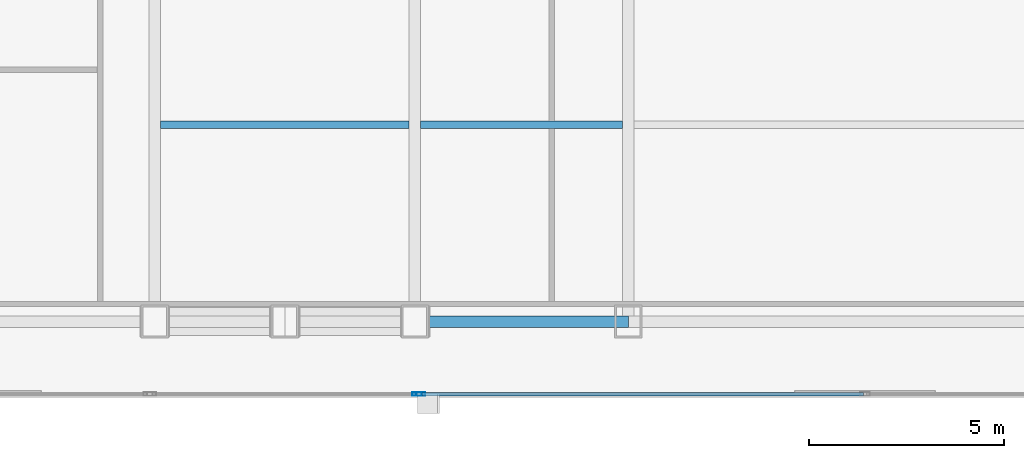
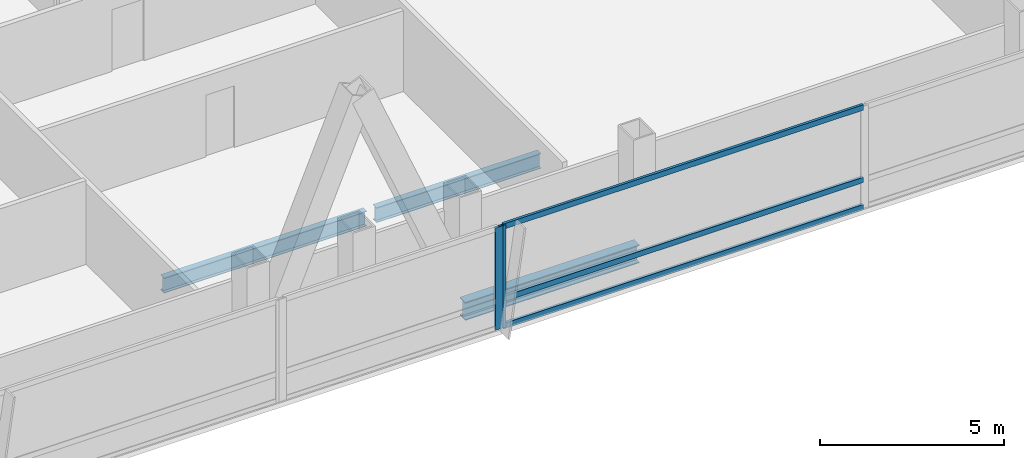
# One storey, part 8 of 29: 5 members, 3 beams, 2 elements without a shape of their own.
"""IFC4 building model written with IfcOpenShell, lengths in metres."""

import ifcopenshell
import ifcopenshell.guid

model = None  # the IFC model being written
_history = None  # IfcOwnerHistory: only IFC2X3 demands one
_inside = {}  # id of a spatial element -> (the spatial element, [elements in it])
_under = {}  # id of a project, library or spatial element -> (it, [spatial elements below it])
_declared = {}  # id of a project -> (the project, [libraries it declares])
_typed = {}  # id of a type object -> (the type object, [elements of that type])
_made_of = {}  # id of a material, layer set ... -> (it, [elements and type objects made of it])


def new_model(schema):
    """Start an empty IFC model of exactly this schema.

    Asked for "IFC4X3", IfcOpenShell would pick the latest addendum, in which some entities
    have other attributes; the version numbers below select the first issue.
    IFC2X3 requires an IfcOwnerHistory on every rooted entity: one is made here for all.
    """
    global model, _history
    if schema == "IFC4X3":
        model = ifcopenshell.file(schema_version=(4, 3, 0, 0))
    else:
        model = ifcopenshell.file(schema=schema)
    _inside.clear()
    _under.clear()
    _declared.clear()
    _typed.clear()
    _made_of.clear()
    _history = None
    if model.schema == "IFC2X3":
        org = make("IfcOrganization", Name="unknown")
        user = make(
            "IfcPersonAndOrganization",
            ThePerson=make("IfcPerson", FamilyName="unknown"),
            TheOrganization=org,
        )
        app = make(
            "IfcApplication",
            ApplicationDeveloper=org,
            Version="unknown",
            ApplicationFullName="unknown",
            ApplicationIdentifier="unknown",
        )
        _history = make(
            "IfcOwnerHistory",
            OwningUser=user,
            OwningApplication=app,
            ChangeAction="ADDED",
            CreationDate=0,
        )
    return model


def make(cls, **values):
    """One entity of the class cls with the attributes given. An attribute that is None is left unset."""
    return model.create_entity(
        cls, **{name: value for name, value in values.items() if value is not None}
    )


def rooted(cls, **values):
    """An entity with a GlobalId (a new one), such as an element, a storey or a relation."""
    return make(cls, GlobalId=ifcopenshell.guid.new(), OwnerHistory=_history, **values)


def si_unit(unit_type, name, prefix=None):
    """IfcSIUnit, for example si_unit("LENGTHUNIT", "METRE", prefix="MILLI")."""
    return make("IfcSIUnit", UnitType=unit_type, Prefix=prefix, Name=name)


def assignment(units):
    """IfcUnitAssignment: the units of a project."""
    return None if units is None else make("IfcUnitAssignment", Units=units)


def point(xyz):
    """IfcCartesianPoint."""
    return None if xyz is None else make("IfcCartesianPoint", Coordinates=xyz)


def direction(xyz):
    """IfcDirection."""
    return None if xyz is None else make("IfcDirection", DirectionRatios=xyz)


def frame(location, z_axis=None, x_axis=None):
    """IfcAxis2Placement3D, a coordinate frame: its origin and axes. An axis left out is left unset."""
    return make(
        "IfcAxis2Placement3D",
        Location=point(location),
        Axis=direction(z_axis),
        RefDirection=direction(x_axis),
    )


def frame_2d(location, x_axis=None):
    """IfcAxis2Placement2D, a coordinate frame in the plane: its origin and x axis."""
    return make(
        "IfcAxis2Placement2D", Location=point(location), RefDirection=direction(x_axis)
    )


def origin():
    """The frame at (0, 0, 0) with its axes left unset."""
    return frame((0.0, 0.0, 0.0))


def origin_2d():
    """The frame at (0, 0) in the plane with its x axis left unset."""
    return frame_2d((0.0, 0.0))


def place(relative_to, where):
    """IfcLocalPlacement: puts the frame where relative to a parent placement (None: the world)."""
    return make(
        "IfcLocalPlacement", PlacementRelTo=relative_to, RelativePlacement=where
    )


def context(
    kind, dimensions, precision=None, world=None, true_north=None, identifier=None
):
    """IfcGeometricRepresentationContext, for example the 3D "Model" context."""
    return make(
        "IfcGeometricRepresentationContext",
        ContextIdentifier=identifier,
        ContextType=kind,
        CoordinateSpaceDimension=dimensions,
        Precision=precision,
        WorldCoordinateSystem=world,
        TrueNorth=true_north,
    )


def subcontext(parent, identifier, kind, view, scale=None):
    """IfcGeometricRepresentationSubContext, for example "Body" below "Model"."""
    return make(
        "IfcGeometricRepresentationSubContext",
        ContextIdentifier=identifier,
        ContextType=kind,
        ParentContext=parent,
        TargetScale=scale,
        TargetView=view,
    )


def project(units=None, contexts=None):
    """IfcProject with its units and contexts."""
    return rooted(
        "IfcProject",
        Name="project",
        RepresentationContexts=contexts,
        UnitsInContext=assignment(units),
    )


def spatial(cls, under=None, at=None, **own):
    """A site, building, storey or space (cls), placed at a placement, below another one or the project."""
    s = rooted(cls, ObjectPlacement=at, **own)
    if under is not None:
        _under.setdefault(under.id(), (under, []))[1].append(s)
    return s


def profile(cls, at=None, kind="AREA", **sizes):
    """A parametric profile (cls). Its sizes go by their IFC names, for example OverallWidth=200.0."""
    return make(cls, ProfileType=kind, Position=at, **sizes)


def hollow_rectangle(**sizes):
    """IfcRectangleHollowProfileDef."""
    return profile("IfcRectangleHollowProfileDef", **sizes)


def i_section(**sizes):
    """IfcIShapeProfileDef."""
    return profile("IfcIShapeProfileDef", **sizes)


def extrude(swept, where, along, depth):
    """IfcExtrudedAreaSolid: the profile swept, set in the frame where, extruded along a direction by depth."""
    return make(
        "IfcExtrudedAreaSolid",
        SweptArea=swept,
        Position=where,
        ExtrudedDirection=direction(along),
        Depth=depth,
    )


def shape(context_of_items, identifier, shape_type, items):
    """IfcShapeRepresentation: the items that make up one representation, for example the "Body"."""
    return make(
        "IfcShapeRepresentation",
        ContextOfItems=context_of_items,
        RepresentationIdentifier=identifier,
        RepresentationType=shape_type,
        Items=items,
    )


def material(Name=None, Category=None):
    """IfcMaterial."""
    return make("IfcMaterial", Name=Name, Category=Category)


def material_profile(
    of_material, cross_section, Name=None, Category=None, Priority=None
):
    """IfcMaterialProfile: a cross section and its material."""
    return make(
        "IfcMaterialProfile",
        Name=Name,
        Material=of_material,
        Profile=cross_section,
        Priority=Priority,
        Category=Category,
    )


def profile_set(profiles, Name=None, composite=None):
    """IfcMaterialProfileSet."""
    return make(
        "IfcMaterialProfileSet",
        Name=Name,
        MaterialProfiles=profiles,
        CompositeProfile=composite,
    )


def made_of(thing, what):
    """Note that an element or type object is made of a material, layer set ...; save() writes the relation."""
    if what is not None:
        _made_of.setdefault(what.id(), (what, []))[1].append(thing)
    return thing


def type_object(cls, material=None, **own):
    """A type object (cls), such as IfcWallType, which elements share."""
    return made_of(rooted(cls, **own), material)


def element(
    cls,
    number,
    at=None,
    inside=None,
    cuts=None,
    type_object=None,
    material=None,
    context=None,
    identifier="Body",
    shape_type=None,
    held_by="IfcProductDefinitionShape",
    body=None,
    shapes=None,
    **own,
):
    """One element of the class cls, such as IfcWall. Its Tag is "e" and its number.

    at: its placement. inside: the storey or other place that contains it. cuts: it is an
    opening in that element (IfcRelVoidsElement). A single representation is given by context,
    identifier, shape_type and body (its items); several are given by shapes. held_by: the class
    of the entity that holds the representations. save() writes the other relations.
    """
    e = rooted(cls, Tag="e%d" % number, ObjectPlacement=at, **own)
    if body is not None:
        shapes = [shape(context, identifier, shape_type, body)]
    if shapes is not None:
        e.Representation = make(held_by, Representations=shapes)
    if inside is not None:
        _inside.setdefault(inside.id(), (inside, []))[1].append(e)
    if cuts is not None:
        rooted(
            "IfcRelVoidsElement", RelatingBuildingElement=cuts, RelatedOpeningElement=e
        )
    if type_object is not None:
        _typed.setdefault(type_object.id(), (type_object, []))[1].append(e)
    return made_of(e, material)


def aggregate(whole, parts):
    """IfcRelAggregates: a whole, such as a stair, and the parts it consists of."""
    return rooted("IfcRelAggregates", RelatingObject=whole, RelatedObjects=parts)


def save(model, path):
    """Write the relations noted so far, then the file.

    IfcRelAggregates (storeys below a building ...), IfcRelContainedInSpatialStructure (elements
    in a storey), IfcRelDefinesByType, IfcRelAssociatesMaterial and IfcRelDeclares: one each for
    every whole, place, type object, material and project.
    """
    for whole, parts in _under.values():
        aggregate(whole, parts)
    for where, things in _inside.values():
        rooted(
            "IfcRelContainedInSpatialStructure",
            RelatedElements=things,
            RelatingStructure=where,
        )
    for kind, things in _typed.values():
        rooted("IfcRelDefinesByType", RelatedObjects=things, RelatingType=kind)
    for what, things in _made_of.values():
        rooted("IfcRelAssociatesMaterial", RelatedObjects=things, RelatingMaterial=what)
    for by, libraries in _declared.values():
        rooted("IfcRelDeclares", RelatingContext=by, RelatedDefinitions=libraries)
    model.write(path)


model = new_model("IFC4")

# Units and contexts
model_context = context("Model", 3, precision=1e-05, world=origin(), true_north=direction((0.0, 1.0)))
body_context = subcontext(model_context, "Body", "Model", "MODEL_VIEW")
ifc_project = project(units=[si_unit("LENGTHUNIT", "METRE"), si_unit("AREAUNIT", "SQUARE_METRE"), si_unit("VOLUMEUNIT", "CUBIC_METRE"), si_unit("PLANEANGLEUNIT", "RADIAN"), si_unit("MASSUNIT", "GRAM", prefix="KILO")], contexts=[model_context])

# Site, building, storey
site_placement = place(None, origin())
site = spatial("IfcSite", under=ifc_project, at=site_placement, CompositionType="ELEMENT")
building_placement = place(site_placement, origin())
building = spatial("IfcBuilding", under=site, at=building_placement, Name="Khoronbel Lancet Exchange", CompositionType="ELEMENT")
storey_placement = place(building_placement, frame((0.0, 0.0, 180.60009765625)))
storey = spatial("IfcBuildingStorey", under=building, at=storey_placement, Name="L45", CompositionType="ELEMENT", Elevation=180.60009765625)

# Beams
ifc_material_1 = material(Name="Steel S355", Category="steel")
ifc_material_profile_1 = material_profile(ifc_material_1, i_section(OverallWidth=0.199951171875, OverallDepth=0.5, WebThickness=0.01025390625, FlangeThickness=0.01611328125, at=origin_2d()), Name="IPE 500")
ifc_profile_set_1 = profile_set([ifc_material_profile_1], Name="Steel S355")
beam_type_1 = type_object("IfcBeamType", Name="BM-BJ3", PredefinedType="JOIST", material=ifc_profile_set_1)
beam_1_placement = place(storey_placement, frame((18.375, 15.199951171875, -0.41015625), z_axis=(1.0, 0.0, 0.0), x_axis=(0.0, 1.0, 0.0)))
element("IfcBeam", 1, at=beam_1_placement, inside=storey, type_object=beam_type_1, Name="Level L45 secondary composite joist J01", PredefinedType="JOIST", context=body_context, shape_type="SweptSolid", body=[
    extrude(i_section(OverallWidth=0.199951171875, OverallDepth=0.5, WebThickness=0.01025390625, FlangeThickness=0.01611328125, at=origin_2d()), origin(), (0.0, 0.0, 1.0), 6.375),
])
beam_2_placement = place(storey_placement, frame((25.050048828125, 15.199951171875, -0.41015625), z_axis=(1.0, 0.0, 0.0), x_axis=(0.0, 1.0, 0.0)))
element("IfcBeam", 2, at=beam_2_placement, inside=storey, type_object=beam_type_1, Name="Level L45 secondary composite joist J02", PredefinedType="JOIST", context=body_context, shape_type="SweptSolid", body=[
    extrude(i_section(OverallWidth=0.199951171875, OverallDepth=0.5, WebThickness=0.01025390625, FlangeThickness=0.01611328125, at=origin_2d()), origin(), (0.0, 0.0, 1.0), 5.175048828125),
])
ifc_material_profile_2 = material_profile(ifc_material_1, i_section(OverallWidth=0.300048828125, OverallDepth=0.60009765625, WebThickness=0.015380859375, FlangeThickness=0.030029296875, at=origin_2d()), Name="HEB 600")
ifc_profile_set_2 = profile_set([ifc_material_profile_2], Name="Steel S355")
beam_type_2 = type_object("IfcBeamType", Name="BM-BSP2", PredefinedType="SPANDREL", material=ifc_profile_set_2)
beam_3_placement = place(storey_placement, frame((24.89990234375, 10.14990234375, -0.460205078125), z_axis=(1.0, 0.0, 0.0), x_axis=(0.0, 1.0, 0.0)))
element("IfcBeam", 3, at=beam_3_placement, inside=storey, type_object=beam_type_2, Name="Level L45 perimeter spandrel beam SP04", PredefinedType="SPANDREL", context=body_context, shape_type="SweptSolid", body=[
    extrude(i_section(OverallWidth=0.300048828125, OverallDepth=0.60009765625, WebThickness=0.015380859375, FlangeThickness=0.030029296875, at=origin_2d()), origin(), (0.0, 0.0, 1.0), 5.47509765625),
])

# Curtain wall, member
ifc_material_2 = material(Name="Low-E Solar Control Insulating Glass", Category="glass")
curtain_wall_type = type_object("IfcCurtainWallType", Name="CW-3", PredefinedType="NOTDEFINED", material=ifc_material_2)
curtain_wall_1_placement = place(storey_placement, origin())
curtain_wall_1 = element("IfcCurtainWall", 4, at=curtain_wall_1_placement, inside=storey, type_object=curtain_wall_type, Name="Unitised curtain wall CW-L45-SWB", PredefinedType="NOTDEFINED")
ifc_material_3 = material(Name="Bronze-Anodised Aluminium 6063-T6", Category="aluminium")
ifc_material_profile_3 = material_profile(ifc_material_3, hollow_rectangle(XDim=0.0849609375, YDim=0.239990234375, WallThickness=0.006103515625, at=origin_2d()), Name="ALU MULLION 85x240")
ifc_profile_set_3 = profile_set([ifc_material_profile_3], Name="Bronze-Anodised Aluminium 6063-T6")
member_type_1 = type_object("IfcMemberType", Name="MEM-CWM1", PredefinedType="MULLION", material=ifc_profile_set_3)
member_1_placement = place(storey_placement, frame((24.95751953125, 8.2900390625, 0.0), z_axis=(0.0, 0.0, 1.0), x_axis=(0.0, 1.0, 0.0)))
member_1 = element("IfcMember", 5, at=member_1_placement, type_object=member_type_1, Name="CW3 mullion 2", PredefinedType="MULLION", context=body_context, shape_type="SweptSolid", body=[
    extrude(hollow_rectangle(XDim=0.0849609375, YDim=0.239990234375, WallThickness=0.006103515625, at=origin_2d()), origin(), (0.0, 0.0, 1.0), 3.39990234375),
])
aggregate(curtain_wall_1, [member_1])

# Curtain wall, members
curtain_wall_2_placement = place(storey_placement, origin())
curtain_wall_2 = element("IfcCurtainWall", 6, at=curtain_wall_2_placement, inside=storey, type_object=curtain_wall_type, Name="Unitised curtain wall CW-L45-SCV", PredefinedType="NOTDEFINED")
member_2_placement = place(storey_placement, frame((25.04248046875, 8.2900390625, 0.0), z_axis=(0.0, 0.0, 1.0), x_axis=(0.0, 1.0, 0.0)))
member_2 = element("IfcMember", 7, at=member_2_placement, type_object=member_type_1, Name="CW3 mullion 1", PredefinedType="MULLION", context=body_context, shape_type="SweptSolid", body=[
    extrude(hollow_rectangle(XDim=0.0849609375, YDim=0.239990234375, WallThickness=0.006103515625, at=origin_2d()), origin(), (0.0, 0.0, 1.0), 3.39990234375),
])
ifc_material_profile_4 = material_profile(ifc_material_3, hollow_rectangle(XDim=0.0849609375, YDim=0.179931640625, WallThickness=0.0048828125, at=origin_2d()), Name="ALU TRANSOM 85x180")
ifc_profile_set_4 = profile_set([ifc_material_profile_4], Name="Bronze-Anodised Aluminium 6063-T6")
member_type_2 = type_object("IfcMemberType", Name="MEM-CWT1", PredefinedType="USERDEFINED", material=ifc_profile_set_4)
member_3_placement = place(storey_placement, frame((25.0849609375, 8.2900390625, 0.04248046875), z_axis=(1.0, 0.0, 0.0), x_axis=(0.0, 1.0, 0.0)))
member_3 = element("IfcMember", 8, at=member_3_placement, type_object=member_type_2, Name="CW3 transom 1.1", ObjectType="TRANSOM", PredefinedType="USERDEFINED", context=body_context, shape_type="SweptSolid", body=[
    extrude(hollow_rectangle(XDim=0.0849609375, YDim=0.179931640625, WallThickness=0.0048828125, at=origin_2d()), origin(), (0.0, 0.0, 1.0), 11.322509765625),
])
member_4_placement = place(storey_placement, frame((25.0849609375, 8.2900390625, 0.949951171875), z_axis=(1.0, 0.0, 0.0), x_axis=(0.0, 1.0, 0.0)))
member_4 = element("IfcMember", 9, at=member_4_placement, type_object=member_type_2, Name="CW3 transom 1.2", ObjectType="TRANSOM", PredefinedType="USERDEFINED", context=body_context, shape_type="SweptSolid", body=[
    extrude(hollow_rectangle(XDim=0.0849609375, YDim=0.179931640625, WallThickness=0.0048828125, at=origin_2d()), origin(), (0.0, 0.0, 1.0), 11.322509765625),
])
member_5_placement = place(storey_placement, frame((25.0849609375, 8.2900390625, 3.357421875), z_axis=(1.0, 0.0, 0.0), x_axis=(0.0, 1.0, 0.0)))
member_5 = element("IfcMember", 10, at=member_5_placement, type_object=member_type_2, Name="CW3 transom 1.3", ObjectType="TRANSOM", PredefinedType="USERDEFINED", context=body_context, shape_type="SweptSolid", body=[
    extrude(hollow_rectangle(XDim=0.0849609375, YDim=0.179931640625, WallThickness=0.0048828125, at=origin_2d()), origin(), (0.0, 0.0, 1.0), 11.322509765625),
])
aggregate(curtain_wall_2, [member_2, member_3, member_4, member_5])

save(model, "model.ifc")
